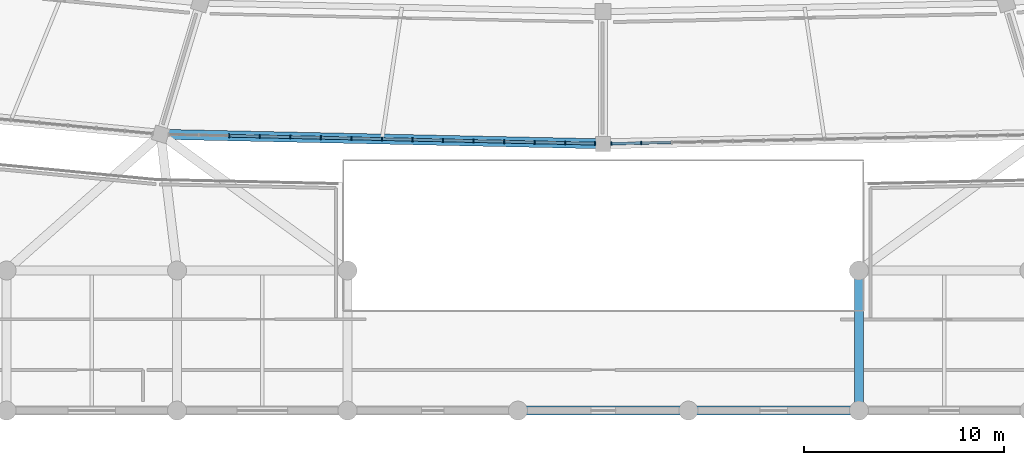
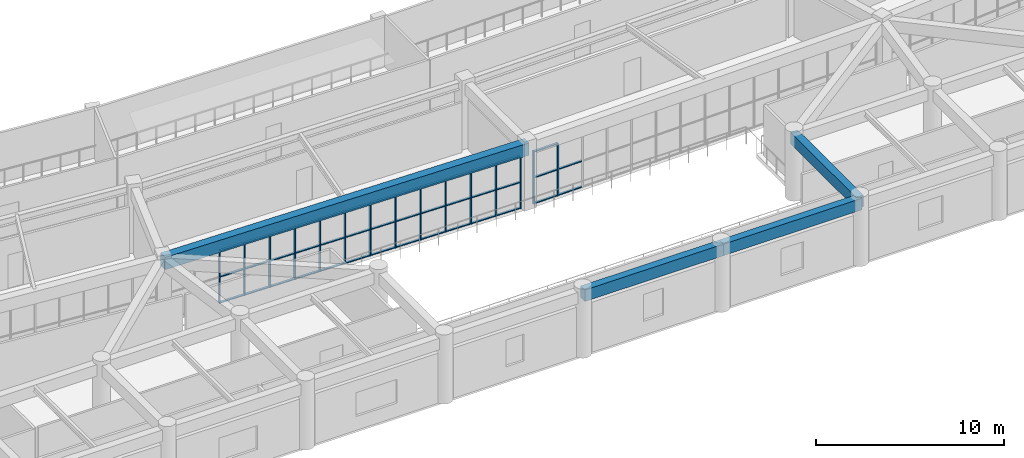
# One storey, part 24 of 141: 56 members, 4 beams, 2 elements without a shape of their own.
"""IFC4 building model written with IfcOpenShell, lengths in metres."""

from ifc_helpers import new_model, si_unit, direction, frame, origin, origin_2d, place, context, subcontext, project, spatial, rectangle, extrude, material, layer, layer_set, material_profile, profile_set, type_object, element, aggregate, save


model = new_model("IFC4")

# Units and contexts
model_context = context("Model", 3, precision=1e-05, world=origin(), true_north=direction((0.0, 1.0)))
body_context = subcontext(model_context, "Body", "Model", "MODEL_VIEW")
ifc_project = project(units=[si_unit("LENGTHUNIT", "METRE"), si_unit("AREAUNIT", "SQUARE_METRE"), si_unit("VOLUMEUNIT", "CUBIC_METRE"), si_unit("PLANEANGLEUNIT", "RADIAN"), si_unit("MASSUNIT", "GRAM", prefix="KILO")], contexts=[model_context])

# Site, building, storey
site_placement = place(None, origin())
site = spatial("IfcSite", under=ifc_project, at=site_placement, CompositionType="ELEMENT")
building_placement = place(site_placement, origin())
building = spatial("IfcBuilding", under=site, at=building_placement, Name="Mphavela Belvedere Stadium", CompositionType="ELEMENT")
storey_placement = place(building_placement, frame((0.0, 0.0, 14.699951171875)))
storey = spatial("IfcBuildingStorey", under=building, at=storey_placement, Name="L03", CompositionType="ELEMENT", Elevation=14.699951171875)

# Beams
ifc_material_1 = material(Name="Concrete C40/50", Category="concrete")
ifc_material_profile_1 = material_profile(ifc_material_1, rectangle(XDim=0.449951171875, YDim=0.75, at=origin_2d()), Name="RC 450x750")
ifc_profile_set_1 = profile_set([ifc_material_profile_1], Name="Concrete C40/50")
beam_type_1 = type_object("IfcBeamType", Name="BM-RC450x750", PredefinedType="BEAM", material=ifc_profile_set_1)
beam_1_placement = place(storey_placement, frame((110.740966796875, 0.0, 3.864990234375), z_axis=(1.0, 0.0, 0.0), x_axis=(0.0, 1.0, 0.0)))
element("IfcBeam", 1, at=beam_1_placement, inside=storey, type_object=beam_type_1, Name="South Axial Triumphal Peristyle Portico entablature beam X L03 14-1", PredefinedType="BEAM", context=body_context, shape_type="SweptSolid", body=[
    extrude(rectangle(XDim=0.449951171875, YDim=0.75, at=origin_2d()), origin(), (0.0, 0.0, 1.0), 8.51806640625),
])
beam_2_placement = place(storey_placement, frame((119.259033203125, 0.0, 3.864990234375), z_axis=(1.0, 0.0, 0.0), x_axis=(0.0, 1.0, 0.0)))
element("IfcBeam", 2, at=beam_2_placement, inside=storey, type_object=beam_type_1, Name="South Axial Triumphal Peristyle Portico entablature beam X L03 15-1", PredefinedType="BEAM", context=body_context, shape_type="SweptSolid", body=[
    extrude(rectangle(XDim=0.449951171875, YDim=0.75, at=origin_2d()), origin(), (0.0, 0.0, 1.0), 8.51904296875),
])
beam_3_placement = place(storey_placement, frame((127.778076171875, 0.0, 3.864990234375), z_axis=(0.0, 1.0, 0.0), x_axis=(-1.0, 0.0, 0.0)))
element("IfcBeam", 3, at=beam_3_placement, inside=storey, type_object=beam_type_1, Name="South Axial Triumphal Peristyle Portico entablature beam Y L03 16-1", PredefinedType="BEAM", context=body_context, shape_type="SweptSolid", body=[
    extrude(rectangle(XDim=0.449951171875, YDim=0.75, at=origin_2d()), origin(), (0.0, 0.0, 1.0), 7.0),
])
ifc_material_2 = material(Name="Concrete C40/50", Category="concrete")
ifc_material_profile_2 = material_profile(ifc_material_2, rectangle(XDim=0.5, YDim=0.800048828125, at=origin_2d()), Name="RC 500x800")
ifc_profile_set_2 = profile_set([ifc_material_profile_2], Name="Concrete C40/50")
beam_type_2 = type_object("IfcBeamType", Name="BM-SPANDREL-800", PredefinedType="SPANDREL", material=ifc_profile_set_2)
beam_4_placement = place(storey_placement, frame((92.885498046875, 13.80615234375, 3.85009765625), z_axis=(0.999768359718, -0.021522706765, 0.0), x_axis=(0.021522706765, 0.999768359718, 0.0)))
element("IfcBeam", 4, at=beam_4_placement, inside=storey, type_object=beam_type_2, Name="Circumferential girder L03 R4-36", PredefinedType="SPANDREL", context=body_context, shape_type="SweptSolid", body=[
    extrude(rectangle(XDim=0.5, YDim=0.800048828125, at=origin_2d()), origin(), (0.0, 0.0, 1.0), 22.11962890625),
])

# Curtain wall, members
ifc_material_3 = material(Name="Anodised bronze unitised curtain wall framing")
ifc_layer_1 = layer(ifc_material_3, 0.205078125)
ifc_layer_set_1 = layer_set([ifc_layer_1], Name="Anodised bronze unitised curtain wall framing")
curtain_wall_type_1 = type_object("IfcCurtainWallType", Name="CW-UNIT-06", PredefinedType="USERDEFINED", material=ifc_layer_set_1)
curtain_wall_1_placement = place(storey_placement, origin())
curtain_wall_1 = element("IfcCurtainWall", 5, at=curtain_wall_1_placement, inside=storey, type_object=curtain_wall_type_1, Name="Belvedere colonnade curtain wall L03-36", ObjectType="UNITISED CURTAIN WALL", PredefinedType="USERDEFINED")
ifc_material_4 = material(Name="Anodised bronze extruded aluminium", Category="aluminium")
ifc_material_profile_3 = material_profile(ifc_material_4, rectangle(XDim=0.179931640625, YDim=0.06494140625, at=origin_2d()), Name="CW-MUL 180x65")
ifc_profile_set_3 = profile_set([ifc_material_profile_3], Name="Anodised bronze extruded aluminium")
member_type_1 = type_object("IfcMemberType", Name="CWM-180x65", PredefinedType="MULLION", material=ifc_profile_set_3)
member_1_placement = place(storey_placement, frame((96.31103515625, 13.732421875, 0.0), z_axis=(0.0, 0.0, 1.0), x_axis=(0.02153107878, 0.999768179453, 0.0)))
member_1 = element("IfcMember", 6, at=member_1_placement, type_object=member_type_1, Name="CW-06 mullion 3", PredefinedType="MULLION", context=body_context, shape_type="SweptSolid", body=[
    extrude(rectangle(XDim=0.179931640625, YDim=0.06494140625, at=origin_2d()), origin(), (0.0, 0.0, 1.0), 3.420166015625),
])
member_2_placement = place(storey_placement, frame((97.83740234375, 13.69970703125, 0.0), z_axis=(0.0, 0.0, 1.0), x_axis=(0.02153107878, 0.999768179453, 0.0)))
member_2 = element("IfcMember", 7, at=member_2_placement, type_object=member_type_1, Name="CW-06 mullion 4", PredefinedType="MULLION", context=body_context, shape_type="SweptSolid", body=[
    extrude(rectangle(XDim=0.179931640625, YDim=0.06494140625, at=origin_2d()), origin(), (0.0, 0.0, 1.0), 3.420166015625),
])
member_3_placement = place(storey_placement, frame((99.36376953125, 13.666748046875, 0.0), z_axis=(0.0, 0.0, 1.0), x_axis=(0.02153107878, 0.999768179453, 0.0)))
member_3 = element("IfcMember", 8, at=member_3_placement, type_object=member_type_1, Name="CW-06 mullion 5", PredefinedType="MULLION", context=body_context, shape_type="SweptSolid", body=[
    extrude(rectangle(XDim=0.179931640625, YDim=0.06494140625, at=origin_2d()), origin(), (0.0, 0.0, 1.0), 3.420166015625),
])
member_4_placement = place(storey_placement, frame((100.889892578125, 13.6337890625, 0.0), z_axis=(0.0, 0.0, 1.0), x_axis=(0.02153107878, 0.999768179453, 0.0)))
member_4 = element("IfcMember", 9, at=member_4_placement, type_object=member_type_1, Name="CW-06 mullion 6", PredefinedType="MULLION", context=body_context, shape_type="SweptSolid", body=[
    extrude(rectangle(XDim=0.179931640625, YDim=0.06494140625, at=origin_2d()), origin(), (0.0, 0.0, 1.0), 3.420166015625),
])
member_5_placement = place(storey_placement, frame((102.416259765625, 13.60107421875, 0.0), z_axis=(0.0, 0.0, 1.0), x_axis=(0.02153107878, 0.999768179453, 0.0)))
member_5 = element("IfcMember", 10, at=member_5_placement, type_object=member_type_1, Name="CW-06 mullion 7", PredefinedType="MULLION", context=body_context, shape_type="SweptSolid", body=[
    extrude(rectangle(XDim=0.179931640625, YDim=0.06494140625, at=origin_2d()), origin(), (0.0, 0.0, 1.0), 3.420166015625),
])
member_6_placement = place(storey_placement, frame((103.942626953125, 13.568115234375, 0.0), z_axis=(0.0, 0.0, 1.0), x_axis=(0.02153107878, 0.999768179453, 0.0)))
member_6 = element("IfcMember", 11, at=member_6_placement, type_object=member_type_1, Name="CW-06 mullion 8", PredefinedType="MULLION", context=body_context, shape_type="SweptSolid", body=[
    extrude(rectangle(XDim=0.179931640625, YDim=0.06494140625, at=origin_2d()), origin(), (0.0, 0.0, 1.0), 3.420166015625),
])
member_7_placement = place(storey_placement, frame((105.468994140625, 13.53515625, 0.0), z_axis=(0.0, 0.0, 1.0), x_axis=(0.02153107878, 0.999768179453, 0.0)))
member_7 = element("IfcMember", 12, at=member_7_placement, type_object=member_type_1, Name="CW-06 mullion 9", PredefinedType="MULLION", context=body_context, shape_type="SweptSolid", body=[
    extrude(rectangle(XDim=0.179931640625, YDim=0.06494140625, at=origin_2d()), origin(), (0.0, 0.0, 1.0), 3.420166015625),
])
member_8_placement = place(storey_placement, frame((106.995361328125, 13.50244140625, 0.0), z_axis=(0.0, 0.0, 1.0), x_axis=(0.02153107878, 0.999768179453, 0.0)))
member_8 = element("IfcMember", 13, at=member_8_placement, type_object=member_type_1, Name="CW-06 mullion 10", PredefinedType="MULLION", context=body_context, shape_type="SweptSolid", body=[
    extrude(rectangle(XDim=0.179931640625, YDim=0.06494140625, at=origin_2d()), origin(), (0.0, 0.0, 1.0), 3.420166015625),
])
member_9_placement = place(storey_placement, frame((108.521728515625, 13.469482421875, 0.0), z_axis=(0.0, 0.0, 1.0), x_axis=(0.02153107878, 0.999768179453, 0.0)))
member_9 = element("IfcMember", 14, at=member_9_placement, type_object=member_type_1, Name="CW-06 mullion 11", PredefinedType="MULLION", context=body_context, shape_type="SweptSolid", body=[
    extrude(rectangle(XDim=0.179931640625, YDim=0.06494140625, at=origin_2d()), origin(), (0.0, 0.0, 1.0), 3.420166015625),
])
member_10_placement = place(storey_placement, frame((110.048095703125, 13.4365234375, 0.0), z_axis=(0.0, 0.0, 1.0), x_axis=(0.02153107878, 0.999768179453, 0.0)))
member_10 = element("IfcMember", 15, at=member_10_placement, type_object=member_type_1, Name="CW-06 mullion 12", PredefinedType="MULLION", context=body_context, shape_type="SweptSolid", body=[
    extrude(rectangle(XDim=0.179931640625, YDim=0.06494140625, at=origin_2d()), origin(), (0.0, 0.0, 1.0), 3.420166015625),
])
member_11_placement = place(storey_placement, frame((111.574462890625, 13.40380859375, 0.0), z_axis=(0.0, 0.0, 1.0), x_axis=(0.02153107878, 0.999768179453, 0.0)))
member_11 = element("IfcMember", 16, at=member_11_placement, type_object=member_type_1, Name="CW-06 mullion 13", PredefinedType="MULLION", context=body_context, shape_type="SweptSolid", body=[
    extrude(rectangle(XDim=0.179931640625, YDim=0.06494140625, at=origin_2d()), origin(), (0.0, 0.0, 1.0), 3.420166015625),
])
member_12_placement = place(storey_placement, frame((113.100830078125, 13.370849609375, 0.0), z_axis=(0.0, 0.0, 1.0), x_axis=(0.02153107878, 0.999768179453, 0.0)))
member_12 = element("IfcMember", 17, at=member_12_placement, type_object=member_type_1, Name="CW-06 mullion 14", PredefinedType="MULLION", context=body_context, shape_type="SweptSolid", body=[
    extrude(rectangle(XDim=0.179931640625, YDim=0.06494140625, at=origin_2d()), origin(), (0.0, 0.0, 1.0), 3.420166015625),
])
member_13_placement = place(storey_placement, frame((114.5947265625, 13.338623046875, 0.0), z_axis=(0.0, 0.0, 1.0), x_axis=(0.02153107878, 0.999768179453, 0.0)))
member_13 = element("IfcMember", 18, at=member_13_placement, type_object=member_type_1, Name="CW-06 mullion 15", PredefinedType="MULLION", context=body_context, shape_type="SweptSolid", body=[
    extrude(rectangle(XDim=0.179931640625, YDim=0.06494140625, at=origin_2d()), origin(), (0.0, 0.0, 1.0), 3.420166015625),
])

ifc_material_5 = material(Name="Anodised bronze unitised curtain wall framing")
ifc_layer_2 = layer(ifc_material_5, 0.179931640625)
ifc_layer_set_2 = layer_set([ifc_layer_2], Name="Anodised bronze unitised curtain wall framing")
curtain_wall_type_2 = type_object("IfcCurtainWallType", Name="CW-UNIT-01", PredefinedType="USERDEFINED", material=ifc_layer_set_2)
curtain_wall_2_placement = place(storey_placement, origin())
curtain_wall_2 = element("IfcCurtainWall", 19, at=curtain_wall_2_placement, inside=storey, type_object=curtain_wall_type_2, Name="Belvedere colonnade curtain wall L03-37", ObjectType="UNITISED CURTAIN WALL", PredefinedType="USERDEFINED")
member_14_placement = place(storey_placement, frame((115.4052734375, 13.338623046875, 0.0), z_axis=(0.0, 0.0, 1.0), x_axis=(-0.02153107878, 0.999768179453, 0.0)))
member_14 = element("IfcMember", 20, at=member_14_placement, type_object=member_type_1, Name="CW-01 mullion 1", PredefinedType="MULLION", context=body_context, shape_type="SweptSolid", body=[
    extrude(rectangle(XDim=0.179931640625, YDim=0.06494140625, at=origin_2d()), origin(), (0.0, 0.0, 1.0), 3.420166015625),
])
member_15_placement = place(storey_placement, frame((116.899169921875, 13.370849609375, 0.0), z_axis=(0.0, 0.0, 1.0), x_axis=(-0.02153107878, 0.999768179453, 0.0)))
member_15 = element("IfcMember", 21, at=member_15_placement, type_object=member_type_1, Name="CW-01 mullion 2", PredefinedType="MULLION", context=body_context, shape_type="SweptSolid", body=[
    extrude(rectangle(XDim=0.179931640625, YDim=0.06494140625, at=origin_2d()), origin(), (0.0, 0.0, 1.0), 3.420166015625),
])

# Member
ifc_material_6 = material(Name="Anodised bronze extruded aluminium", Category="aluminium")
ifc_material_profile_4 = material_profile(ifc_material_6, rectangle(XDim=0.139892578125, YDim=0.06005859375, at=origin_2d()), Name="CW-TRN 140x60")
ifc_profile_set_4 = profile_set([ifc_material_profile_4], Name="Anodised bronze extruded aluminium")
member_type_2 = type_object("IfcMemberType", Name="CWT-140x60", PredefinedType="USERDEFINED", material=ifc_profile_set_4)
member_16_placement = place(storey_placement, frame((96.343505859375, 13.731689453125, 0.030029296875), z_axis=(0.999767873479, -0.021545281604, 0.0), x_axis=(0.021545281604, 0.999767873479, 0.0)))
member_16 = element("IfcMember", 22, at=member_16_placement, type_object=member_type_2, Name="CW-06 transom 3.1", ObjectType="TRANSOM", PredefinedType="USERDEFINED", context=body_context, shape_type="SweptSolid", body=[
    extrude(rectangle(XDim=0.139892578125, YDim=0.06005859375, at=origin_2d()), origin(), (0.0, 0.0, 1.0), 1.461669921875),
])

member_17_placement = place(storey_placement, frame((96.343505859375, 13.731689453125, 1.7099609375), z_axis=(0.999767873479, -0.021545281604, 0.0), x_axis=(0.021545281604, 0.999767873479, 0.0)))
member_17 = element("IfcMember", 23, at=member_17_placement, type_object=member_type_2, Name="CW-06 transom 3.2", ObjectType="TRANSOM", PredefinedType="USERDEFINED", context=body_context, shape_type="SweptSolid", body=[
    extrude(rectangle(XDim=0.139892578125, YDim=0.06005859375, at=origin_2d()), origin(), (0.0, 0.0, 1.0), 1.461669921875),
])

member_18_placement = place(storey_placement, frame((96.343505859375, 13.731689453125, 3.39013671875), z_axis=(0.999767873479, -0.021545281604, 0.0), x_axis=(0.021545281604, 0.999767873479, 0.0)))
member_18 = element("IfcMember", 24, at=member_18_placement, type_object=member_type_2, Name="CW-06 transom 3.3", ObjectType="TRANSOM", PredefinedType="USERDEFINED", context=body_context, shape_type="SweptSolid", body=[
    extrude(rectangle(XDim=0.139892578125, YDim=0.06005859375, at=origin_2d()), origin(), (0.0, 0.0, 1.0), 1.461669921875),
])

member_19_placement = place(storey_placement, frame((97.869873046875, 13.698974609375, 0.030029296875), z_axis=(0.999767873479, -0.021545281604, 0.0), x_axis=(0.021545281604, 0.999767873479, 0.0)))
member_19 = element("IfcMember", 25, at=member_19_placement, type_object=member_type_2, Name="CW-06 transom 4.1", ObjectType="TRANSOM", PredefinedType="USERDEFINED", context=body_context, shape_type="SweptSolid", body=[
    extrude(rectangle(XDim=0.139892578125, YDim=0.06005859375, at=origin_2d()), origin(), (0.0, 0.0, 1.0), 1.461669921875),
])

member_20_placement = place(storey_placement, frame((97.869873046875, 13.698974609375, 1.7099609375), z_axis=(0.999767873479, -0.021545281604, 0.0), x_axis=(0.021545281604, 0.999767873479, 0.0)))
member_20 = element("IfcMember", 26, at=member_20_placement, type_object=member_type_2, Name="CW-06 transom 4.2", ObjectType="TRANSOM", PredefinedType="USERDEFINED", context=body_context, shape_type="SweptSolid", body=[
    extrude(rectangle(XDim=0.139892578125, YDim=0.06005859375, at=origin_2d()), origin(), (0.0, 0.0, 1.0), 1.461669921875),
])

member_21_placement = place(storey_placement, frame((97.869873046875, 13.698974609375, 3.39013671875), z_axis=(0.999767873479, -0.021545281604, 0.0), x_axis=(0.021545281604, 0.999767873479, 0.0)))
member_21 = element("IfcMember", 27, at=member_21_placement, type_object=member_type_2, Name="CW-06 transom 4.3", ObjectType="TRANSOM", PredefinedType="USERDEFINED", context=body_context, shape_type="SweptSolid", body=[
    extrude(rectangle(XDim=0.139892578125, YDim=0.06005859375, at=origin_2d()), origin(), (0.0, 0.0, 1.0), 1.461669921875),
])

member_22_placement = place(storey_placement, frame((99.396240234375, 13.666015625, 0.030029296875), z_axis=(0.99976779593, -0.021548879812, 0.0), x_axis=(0.021548879812, 0.99976779593, 0.0)))
member_22 = element("IfcMember", 28, at=member_22_placement, type_object=member_type_2, Name="CW-06 transom 5.1", ObjectType="TRANSOM", PredefinedType="USERDEFINED", context=body_context, shape_type="SweptSolid", body=[
    extrude(rectangle(XDim=0.139892578125, YDim=0.06005859375, at=origin_2d()), origin(), (0.0, 0.0, 1.0), 1.46142578125),
])

member_23_placement = place(storey_placement, frame((99.396240234375, 13.666015625, 1.7099609375), z_axis=(0.99976779593, -0.021548879812, 0.0), x_axis=(0.021548879812, 0.99976779593, 0.0)))
member_23 = element("IfcMember", 29, at=member_23_placement, type_object=member_type_2, Name="CW-06 transom 5.2", ObjectType="TRANSOM", PredefinedType="USERDEFINED", context=body_context, shape_type="SweptSolid", body=[
    extrude(rectangle(XDim=0.139892578125, YDim=0.06005859375, at=origin_2d()), origin(), (0.0, 0.0, 1.0), 1.46142578125),
])

member_24_placement = place(storey_placement, frame((99.396240234375, 13.666015625, 3.39013671875), z_axis=(0.99976779593, -0.021548879812, 0.0), x_axis=(0.021548879812, 0.99976779593, 0.0)))
member_24 = element("IfcMember", 30, at=member_24_placement, type_object=member_type_2, Name="CW-06 transom 5.3", ObjectType="TRANSOM", PredefinedType="USERDEFINED", context=body_context, shape_type="SweptSolid", body=[
    extrude(rectangle(XDim=0.139892578125, YDim=0.06005859375, at=origin_2d()), origin(), (0.0, 0.0, 1.0), 1.46142578125),
])

member_25_placement = place(storey_placement, frame((100.922607421875, 13.633056640625, 0.030029296875), z_axis=(0.99976779593, -0.021548879812, 0.0), x_axis=(0.021548879812, 0.99976779593, 0.0)))
member_25 = element("IfcMember", 31, at=member_25_placement, type_object=member_type_2, Name="CW-06 transom 6.1", ObjectType="TRANSOM", PredefinedType="USERDEFINED", context=body_context, shape_type="SweptSolid", body=[
    extrude(rectangle(XDim=0.139892578125, YDim=0.06005859375, at=origin_2d()), origin(), (0.0, 0.0, 1.0), 1.46142578125),
])

member_26_placement = place(storey_placement, frame((100.922607421875, 13.633056640625, 1.7099609375), z_axis=(0.99976779593, -0.021548879812, 0.0), x_axis=(0.021548879812, 0.99976779593, 0.0)))
member_26 = element("IfcMember", 32, at=member_26_placement, type_object=member_type_2, Name="CW-06 transom 6.2", ObjectType="TRANSOM", PredefinedType="USERDEFINED", context=body_context, shape_type="SweptSolid", body=[
    extrude(rectangle(XDim=0.139892578125, YDim=0.06005859375, at=origin_2d()), origin(), (0.0, 0.0, 1.0), 1.46142578125),
])

member_27_placement = place(storey_placement, frame((100.922607421875, 13.633056640625, 3.39013671875), z_axis=(0.99976779593, -0.021548879812, 0.0), x_axis=(0.021548879812, 0.99976779593, 0.0)))
member_27 = element("IfcMember", 33, at=member_27_placement, type_object=member_type_2, Name="CW-06 transom 6.3", ObjectType="TRANSOM", PredefinedType="USERDEFINED", context=body_context, shape_type="SweptSolid", body=[
    extrude(rectangle(XDim=0.139892578125, YDim=0.06005859375, at=origin_2d()), origin(), (0.0, 0.0, 1.0), 1.46142578125),
])

member_28_placement = place(storey_placement, frame((102.44873046875, 13.600341796875, 0.030029296875), z_axis=(0.999767873479, -0.021545281604, 0.0), x_axis=(0.021545281604, 0.999767873479, 0.0)))
member_28 = element("IfcMember", 34, at=member_28_placement, type_object=member_type_2, Name="CW-06 transom 7.1", ObjectType="TRANSOM", PredefinedType="USERDEFINED", context=body_context, shape_type="SweptSolid", body=[
    extrude(rectangle(XDim=0.139892578125, YDim=0.06005859375, at=origin_2d()), origin(), (0.0, 0.0, 1.0), 1.461669921875),
])

member_29_placement = place(storey_placement, frame((102.44873046875, 13.600341796875, 1.7099609375), z_axis=(0.999767873479, -0.021545281604, 0.0), x_axis=(0.021545281604, 0.999767873479, 0.0)))
member_29 = element("IfcMember", 35, at=member_29_placement, type_object=member_type_2, Name="CW-06 transom 7.2", ObjectType="TRANSOM", PredefinedType="USERDEFINED", context=body_context, shape_type="SweptSolid", body=[
    extrude(rectangle(XDim=0.139892578125, YDim=0.06005859375, at=origin_2d()), origin(), (0.0, 0.0, 1.0), 1.461669921875),
])

member_30_placement = place(storey_placement, frame((102.44873046875, 13.600341796875, 3.39013671875), z_axis=(0.999767873479, -0.021545281604, 0.0), x_axis=(0.021545281604, 0.999767873479, 0.0)))
member_30 = element("IfcMember", 36, at=member_30_placement, type_object=member_type_2, Name="CW-06 transom 7.3", ObjectType="TRANSOM", PredefinedType="USERDEFINED", context=body_context, shape_type="SweptSolid", body=[
    extrude(rectangle(XDim=0.139892578125, YDim=0.06005859375, at=origin_2d()), origin(), (0.0, 0.0, 1.0), 1.461669921875),
])

member_31_placement = place(storey_placement, frame((103.97509765625, 13.5673828125, 0.030029296875), z_axis=(0.999767873479, -0.021545281604, 0.0), x_axis=(0.021545281604, 0.999767873479, 0.0)))
member_31 = element("IfcMember", 37, at=member_31_placement, type_object=member_type_2, Name="CW-06 transom 8.1", ObjectType="TRANSOM", PredefinedType="USERDEFINED", context=body_context, shape_type="SweptSolid", body=[
    extrude(rectangle(XDim=0.139892578125, YDim=0.06005859375, at=origin_2d()), origin(), (0.0, 0.0, 1.0), 1.461669921875),
])

member_32_placement = place(storey_placement, frame((103.97509765625, 13.5673828125, 1.7099609375), z_axis=(0.999767873479, -0.021545281604, 0.0), x_axis=(0.021545281604, 0.999767873479, 0.0)))
member_32 = element("IfcMember", 38, at=member_32_placement, type_object=member_type_2, Name="CW-06 transom 8.2", ObjectType="TRANSOM", PredefinedType="USERDEFINED", context=body_context, shape_type="SweptSolid", body=[
    extrude(rectangle(XDim=0.139892578125, YDim=0.06005859375, at=origin_2d()), origin(), (0.0, 0.0, 1.0), 1.461669921875),
])

member_33_placement = place(storey_placement, frame((103.97509765625, 13.5673828125, 3.39013671875), z_axis=(0.999767873479, -0.021545281604, 0.0), x_axis=(0.021545281604, 0.999767873479, 0.0)))
member_33 = element("IfcMember", 39, at=member_33_placement, type_object=member_type_2, Name="CW-06 transom 8.3", ObjectType="TRANSOM", PredefinedType="USERDEFINED", context=body_context, shape_type="SweptSolid", body=[
    extrude(rectangle(XDim=0.139892578125, YDim=0.06005859375, at=origin_2d()), origin(), (0.0, 0.0, 1.0), 1.461669921875),
])

member_34_placement = place(storey_placement, frame((105.50146484375, 13.534423828125, 0.030029296875), z_axis=(0.999771457162, -0.021378340547, 0.0), x_axis=(0.021378340547, 0.999771457162, 0.0)))
member_34 = element("IfcMember", 40, at=member_34_placement, type_object=member_type_2, Name="CW-06 transom 9.1", ObjectType="TRANSOM", PredefinedType="USERDEFINED", context=body_context, shape_type="SweptSolid", body=[
    extrude(rectangle(XDim=0.139892578125, YDim=0.06005859375, at=origin_2d()), origin(), (0.0, 0.0, 1.0), 1.461669921875),
])

member_35_placement = place(storey_placement, frame((105.50146484375, 13.534423828125, 1.7099609375), z_axis=(0.999771457162, -0.021378340547, 0.0), x_axis=(0.021378340547, 0.999771457162, 0.0)))
member_35 = element("IfcMember", 41, at=member_35_placement, type_object=member_type_2, Name="CW-06 transom 9.2", ObjectType="TRANSOM", PredefinedType="USERDEFINED", context=body_context, shape_type="SweptSolid", body=[
    extrude(rectangle(XDim=0.139892578125, YDim=0.06005859375, at=origin_2d()), origin(), (0.0, 0.0, 1.0), 1.461669921875),
])

member_36_placement = place(storey_placement, frame((105.50146484375, 13.534423828125, 3.39013671875), z_axis=(0.999771457162, -0.021378340547, 0.0), x_axis=(0.021378340547, 0.999771457162, 0.0)))
member_36 = element("IfcMember", 42, at=member_36_placement, type_object=member_type_2, Name="CW-06 transom 9.3", ObjectType="TRANSOM", PredefinedType="USERDEFINED", context=body_context, shape_type="SweptSolid", body=[
    extrude(rectangle(XDim=0.139892578125, YDim=0.06005859375, at=origin_2d()), origin(), (0.0, 0.0, 1.0), 1.461669921875),
])

member_37_placement = place(storey_placement, frame((107.02783203125, 13.501708984375, 0.030029296875), z_axis=(0.999767873479, -0.021545281604, 0.0), x_axis=(0.021545281604, 0.999767873479, 0.0)))
member_37 = element("IfcMember", 43, at=member_37_placement, type_object=member_type_2, Name="CW-06 transom 10.1", ObjectType="TRANSOM", PredefinedType="USERDEFINED", context=body_context, shape_type="SweptSolid", body=[
    extrude(rectangle(XDim=0.139892578125, YDim=0.06005859375, at=origin_2d()), origin(), (0.0, 0.0, 1.0), 1.461669921875),
])

member_38_placement = place(storey_placement, frame((107.02783203125, 13.501708984375, 1.7099609375), z_axis=(0.999767873479, -0.021545281604, 0.0), x_axis=(0.021545281604, 0.999767873479, 0.0)))
member_38 = element("IfcMember", 44, at=member_38_placement, type_object=member_type_2, Name="CW-06 transom 10.2", ObjectType="TRANSOM", PredefinedType="USERDEFINED", context=body_context, shape_type="SweptSolid", body=[
    extrude(rectangle(XDim=0.139892578125, YDim=0.06005859375, at=origin_2d()), origin(), (0.0, 0.0, 1.0), 1.461669921875),
])

member_39_placement = place(storey_placement, frame((107.02783203125, 13.501708984375, 3.39013671875), z_axis=(0.999767873479, -0.021545281604, 0.0), x_axis=(0.021545281604, 0.999767873479, 0.0)))
member_39 = element("IfcMember", 45, at=member_39_placement, type_object=member_type_2, Name="CW-06 transom 10.3", ObjectType="TRANSOM", PredefinedType="USERDEFINED", context=body_context, shape_type="SweptSolid", body=[
    extrude(rectangle(XDim=0.139892578125, YDim=0.06005859375, at=origin_2d()), origin(), (0.0, 0.0, 1.0), 1.461669921875),
])

member_40_placement = place(storey_placement, frame((108.55419921875, 13.46875, 0.030029296875), z_axis=(0.999767873479, -0.021545281604, 0.0), x_axis=(0.021545281604, 0.999767873479, 0.0)))
member_40 = element("IfcMember", 46, at=member_40_placement, type_object=member_type_2, Name="CW-06 transom 11.1", ObjectType="TRANSOM", PredefinedType="USERDEFINED", context=body_context, shape_type="SweptSolid", body=[
    extrude(rectangle(XDim=0.139892578125, YDim=0.06005859375, at=origin_2d()), origin(), (0.0, 0.0, 1.0), 1.461669921875),
])

member_41_placement = place(storey_placement, frame((108.55419921875, 13.46875, 1.7099609375), z_axis=(0.999767873479, -0.021545281604, 0.0), x_axis=(0.021545281604, 0.999767873479, 0.0)))
member_41 = element("IfcMember", 47, at=member_41_placement, type_object=member_type_2, Name="CW-06 transom 11.2", ObjectType="TRANSOM", PredefinedType="USERDEFINED", context=body_context, shape_type="SweptSolid", body=[
    extrude(rectangle(XDim=0.139892578125, YDim=0.06005859375, at=origin_2d()), origin(), (0.0, 0.0, 1.0), 1.461669921875),
])

member_42_placement = place(storey_placement, frame((108.55419921875, 13.46875, 3.39013671875), z_axis=(0.999767873479, -0.021545281604, 0.0), x_axis=(0.021545281604, 0.999767873479, 0.0)))
member_42 = element("IfcMember", 48, at=member_42_placement, type_object=member_type_2, Name="CW-06 transom 11.3", ObjectType="TRANSOM", PredefinedType="USERDEFINED", context=body_context, shape_type="SweptSolid", body=[
    extrude(rectangle(XDim=0.139892578125, YDim=0.06005859375, at=origin_2d()), origin(), (0.0, 0.0, 1.0), 1.461669921875),
])

member_43_placement = place(storey_placement, frame((110.08056640625, 13.43603515625, 0.030029296875), z_axis=(0.999767873479, -0.021545281604, 0.0), x_axis=(0.021545281604, 0.999767873479, 0.0)))
member_43 = element("IfcMember", 49, at=member_43_placement, type_object=member_type_2, Name="CW-06 transom 12.1", ObjectType="TRANSOM", PredefinedType="USERDEFINED", context=body_context, shape_type="SweptSolid", body=[
    extrude(rectangle(XDim=0.139892578125, YDim=0.06005859375, at=origin_2d()), origin(), (0.0, 0.0, 1.0), 1.461669921875),
])

member_44_placement = place(storey_placement, frame((110.08056640625, 13.43603515625, 1.7099609375), z_axis=(0.999767873479, -0.021545281604, 0.0), x_axis=(0.021545281604, 0.999767873479, 0.0)))
member_44 = element("IfcMember", 50, at=member_44_placement, type_object=member_type_2, Name="CW-06 transom 12.2", ObjectType="TRANSOM", PredefinedType="USERDEFINED", context=body_context, shape_type="SweptSolid", body=[
    extrude(rectangle(XDim=0.139892578125, YDim=0.06005859375, at=origin_2d()), origin(), (0.0, 0.0, 1.0), 1.461669921875),
])

member_45_placement = place(storey_placement, frame((110.08056640625, 13.43603515625, 3.39013671875), z_axis=(0.999767873479, -0.021545281604, 0.0), x_axis=(0.021545281604, 0.999767873479, 0.0)))
member_45 = element("IfcMember", 51, at=member_45_placement, type_object=member_type_2, Name="CW-06 transom 12.3", ObjectType="TRANSOM", PredefinedType="USERDEFINED", context=body_context, shape_type="SweptSolid", body=[
    extrude(rectangle(XDim=0.139892578125, YDim=0.06005859375, at=origin_2d()), origin(), (0.0, 0.0, 1.0), 1.461669921875),
])

member_46_placement = place(storey_placement, frame((111.60693359375, 13.403076171875, 0.030029296875), z_axis=(0.999767873479, -0.021545281604, 0.0), x_axis=(0.021545281604, 0.999767873479, 0.0)))
member_46 = element("IfcMember", 52, at=member_46_placement, type_object=member_type_2, Name="CW-06 transom 13.1", ObjectType="TRANSOM", PredefinedType="USERDEFINED", context=body_context, shape_type="SweptSolid", body=[
    extrude(rectangle(XDim=0.139892578125, YDim=0.06005859375, at=origin_2d()), origin(), (0.0, 0.0, 1.0), 1.461669921875),
])

member_47_placement = place(storey_placement, frame((111.60693359375, 13.403076171875, 1.7099609375), z_axis=(0.999767873479, -0.021545281604, 0.0), x_axis=(0.021545281604, 0.999767873479, 0.0)))
member_47 = element("IfcMember", 53, at=member_47_placement, type_object=member_type_2, Name="CW-06 transom 13.2", ObjectType="TRANSOM", PredefinedType="USERDEFINED", context=body_context, shape_type="SweptSolid", body=[
    extrude(rectangle(XDim=0.139892578125, YDim=0.06005859375, at=origin_2d()), origin(), (0.0, 0.0, 1.0), 1.461669921875),
])

member_48_placement = place(storey_placement, frame((111.60693359375, 13.403076171875, 3.39013671875), z_axis=(0.999767873479, -0.021545281604, 0.0), x_axis=(0.021545281604, 0.999767873479, 0.0)))
member_48 = element("IfcMember", 54, at=member_48_placement, type_object=member_type_2, Name="CW-06 transom 13.3", ObjectType="TRANSOM", PredefinedType="USERDEFINED", context=body_context, shape_type="SweptSolid", body=[
    extrude(rectangle(XDim=0.139892578125, YDim=0.06005859375, at=origin_2d()), origin(), (0.0, 0.0, 1.0), 1.461669921875),
])

member_49_placement = place(storey_placement, frame((113.13330078125, 13.3701171875, 0.030029296875), z_axis=(0.999768286418, -0.02152611143, 0.0), x_axis=(0.02152611143, 0.999768286418, 0.0)))
member_49 = element("IfcMember", 55, at=member_49_placement, type_object=member_type_2, Name="CW-06 transom 14.1", ObjectType="TRANSOM", PredefinedType="USERDEFINED", context=body_context, shape_type="SweptSolid", body=[
    extrude(rectangle(XDim=0.139892578125, YDim=0.06005859375, at=origin_2d()), origin(), (0.0, 0.0, 1.0), 1.428955078125),
])

member_50_placement = place(storey_placement, frame((113.13330078125, 13.3701171875, 1.7099609375), z_axis=(0.999768286418, -0.02152611143, 0.0), x_axis=(0.02152611143, 0.999768286418, 0.0)))
member_50 = element("IfcMember", 56, at=member_50_placement, type_object=member_type_2, Name="CW-06 transom 14.2", ObjectType="TRANSOM", PredefinedType="USERDEFINED", context=body_context, shape_type="SweptSolid", body=[
    extrude(rectangle(XDim=0.139892578125, YDim=0.06005859375, at=origin_2d()), origin(), (0.0, 0.0, 1.0), 1.428955078125),
])

member_51_placement = place(storey_placement, frame((113.13330078125, 13.3701171875, 3.39013671875), z_axis=(0.999768286418, -0.02152611143, 0.0), x_axis=(0.02152611143, 0.999768286418, 0.0)))
member_51 = element("IfcMember", 57, at=member_51_placement, type_object=member_type_2, Name="CW-06 transom 14.3", ObjectType="TRANSOM", PredefinedType="USERDEFINED", context=body_context, shape_type="SweptSolid", body=[
    extrude(rectangle(XDim=0.139892578125, YDim=0.06005859375, at=origin_2d()), origin(), (0.0, 0.0, 1.0), 1.428955078125),
])

aggregate(curtain_wall_1, [member_1, member_2, member_3, member_4, member_5, member_6, member_7, member_8, member_9, member_10, member_11, member_12, member_13, member_16, member_17, member_18, member_19, member_20, member_21, member_22, member_23, member_24, member_25, member_26, member_27, member_28, member_29, member_30, member_31, member_32, member_33, member_34, member_35, member_36, member_37, member_38, member_39, member_40, member_41, member_42, member_43, member_44, member_45, member_46, member_47, member_48, member_49, member_50, member_51])

member_52_placement = place(storey_placement, frame((115.43798828125, 13.33935546875, 0.030029296875), z_axis=(0.999768286418, 0.02152611143, 0.0), x_axis=(-0.02152611143, 0.999768286418, 0.0)))
member_52 = element("IfcMember", 58, at=member_52_placement, type_object=member_type_2, Name="CW-01 transom 1.1", ObjectType="TRANSOM", PredefinedType="USERDEFINED", context=body_context, shape_type="SweptSolid", body=[
    extrude(rectangle(XDim=0.139892578125, YDim=0.06005859375, at=origin_2d()), origin(), (0.0, 0.0, 1.0), 1.428955078125),
])

member_53_placement = place(storey_placement, frame((115.43798828125, 13.33935546875, 1.7099609375), z_axis=(0.999768286418, 0.02152611143, 0.0), x_axis=(-0.02152611143, 0.999768286418, 0.0)))
member_53 = element("IfcMember", 59, at=member_53_placement, type_object=member_type_2, Name="CW-01 transom 1.2", ObjectType="TRANSOM", PredefinedType="USERDEFINED", context=body_context, shape_type="SweptSolid", body=[
    extrude(rectangle(XDim=0.139892578125, YDim=0.06005859375, at=origin_2d()), origin(), (0.0, 0.0, 1.0), 1.428955078125),
])

member_54_placement = place(storey_placement, frame((115.43798828125, 13.33935546875, 3.39013671875), z_axis=(0.999768286418, 0.02152611143, 0.0), x_axis=(-0.02152611143, 0.999768286418, 0.0)))
member_54 = element("IfcMember", 60, at=member_54_placement, type_object=member_type_2, Name="CW-01 transom 1.3", ObjectType="TRANSOM", PredefinedType="USERDEFINED", context=body_context, shape_type="SweptSolid", body=[
    extrude(rectangle(XDim=0.139892578125, YDim=0.06005859375, at=origin_2d()), origin(), (0.0, 0.0, 1.0), 1.428955078125),
])

member_55_placement = place(storey_placement, frame((116.931640625, 13.37158203125, 0.030029296875), z_axis=(0.999767873479, 0.021545281604, 0.0), x_axis=(-0.021545281604, 0.999767873479, 0.0)))
member_55 = element("IfcMember", 61, at=member_55_placement, type_object=member_type_2, Name="CW-01 transom 2.1", ObjectType="TRANSOM", PredefinedType="USERDEFINED", context=body_context, shape_type="SweptSolid", body=[
    extrude(rectangle(XDim=0.139892578125, YDim=0.06005859375, at=origin_2d()), origin(), (0.0, 0.0, 1.0), 1.461669921875),
])

member_56_placement = place(storey_placement, frame((116.931640625, 13.37158203125, 1.7099609375), z_axis=(0.999767873479, 0.021545281604, 0.0), x_axis=(-0.021545281604, 0.999767873479, 0.0)))
member_56 = element("IfcMember", 62, at=member_56_placement, type_object=member_type_2, Name="CW-01 transom 2.2", ObjectType="TRANSOM", PredefinedType="USERDEFINED", context=body_context, shape_type="SweptSolid", body=[
    extrude(rectangle(XDim=0.139892578125, YDim=0.06005859375, at=origin_2d()), origin(), (0.0, 0.0, 1.0), 1.461669921875),
])

aggregate(curtain_wall_2, [member_14, member_15, member_52, member_53, member_54, member_55, member_56])

save(model, "model.ifc")
